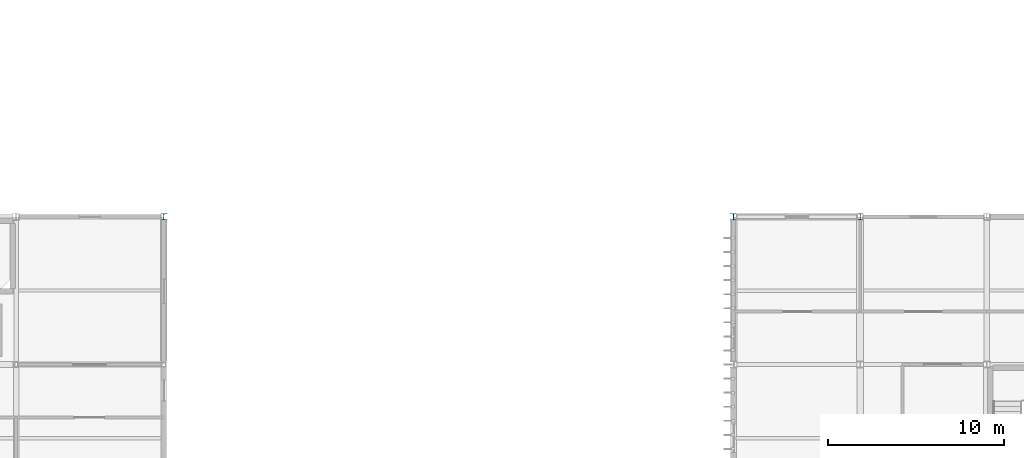
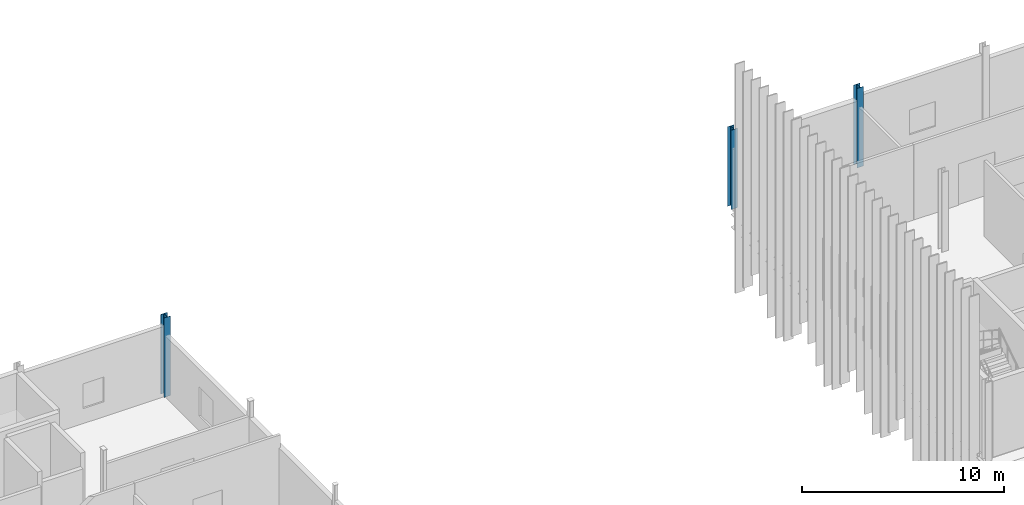
# One storey, part 6 of 45: 3 columns.
"""IFC4 building model written with IfcOpenShell, lengths in metres."""

from ifc_helpers import new_model, si_unit, direction, frame, origin, origin_2d, place, context, subcontext, project, spatial, i_section, extrude, material, material_profile, profile_set, type_object, element, save


model = new_model("IFC4")

# Units and contexts
model_context = context("Model", 3, precision=1e-05, world=origin(), true_north=direction((0.0, 1.0)))
body_context = subcontext(model_context, "Body", "Model", "MODEL_VIEW")
ifc_project = project(units=[si_unit("LENGTHUNIT", "METRE"), si_unit("AREAUNIT", "SQUARE_METRE"), si_unit("VOLUMEUNIT", "CUBIC_METRE"), si_unit("PLANEANGLEUNIT", "RADIAN"), si_unit("MASSUNIT", "GRAM", prefix="KILO")], contexts=[model_context])

# Site, building, storey
site_placement = place(None, origin())
site = spatial("IfcSite", under=ifc_project, at=site_placement, CompositionType="ELEMENT")
building_placement = place(site_placement, origin())
building = spatial("IfcBuilding", under=site, at=building_placement, Name="Calvrana Isthmian Art Gallery", CompositionType="ELEMENT")
storey_placement = place(building_placement, frame((0.0, 0.0, 19.800048828125)))
storey = spatial("IfcBuildingStorey", under=building, at=storey_placement, Name="L04", CompositionType="ELEMENT", Elevation=19.800048828125)

# Columns
ifc_material = material(Name="Steel ASTM A992 Gr 50", Category="steel")
ifc_material_profile_1 = material_profile(ifc_material, i_section(OverallWidth=0.37109375, OverallDepth=0.363037109375, WebThickness=0.01318359375, FlangeThickness=0.021728515625, FilletRadius=0.02490234375, at=origin_2d()), Name="W14X109")
ifc_profile_set_1 = profile_set([ifc_material_profile_1], Name="Steel ASTM A992 Gr 50")
column_type_1 = type_object("IfcColumnType", Name="COL-STL-W14X109", PredefinedType="COLUMN", material=ifc_profile_set_1)
for number, where, z_axis, x_axis, name in (
    (1, (80.39990234375, 46.800048828125, 0.0), (0.0, 0.0, 1.0), (1.0, 0.0, 0.0), "Column 11/G L04"),
    (2, (112.800048828125, 46.800048828125, 0.0), (0.0, 0.0, 1.0), (1.0, 0.0, 0.0), "Column 15/G L04"),
):
    element("IfcColumn", number, at=place(storey_placement, frame(where, z_axis=z_axis, x_axis=x_axis)), inside=storey, type_object=column_type_1, Name=name, PredefinedType="COLUMN", context=body_context, shape_type="SweptSolid", body=[
        extrude(i_section(OverallWidth=0.37109375, OverallDepth=0.363037109375, WebThickness=0.01318359375, FlangeThickness=0.021728515625, FilletRadius=0.02490234375, at=origin_2d()), origin(), (0.0, 0.0, 1.0), 4.800048828125),
    ])
ifc_material_profile_2 = material_profile(ifc_material, i_section(OverallWidth=0.367919921875, OverallDepth=0.35595703125, WebThickness=0.01123046875, FlangeThickness=0.01806640625, FilletRadius=0.02490234375, at=origin_2d()), Name="W14X90")
ifc_profile_set_2 = profile_set([ifc_material_profile_2], Name="Steel ASTM A992 Gr 50")
column_type_2 = type_object("IfcColumnType", Name="COL-STL-W14X90", PredefinedType="COLUMN", material=ifc_profile_set_2)
column_placement = place(storey_placement, frame((120.0, 46.800048828125, 0.0), z_axis=(0.0, 0.0, 1.0), x_axis=(1.0, 0.0, 0.0)))
element("IfcColumn", 3, at=column_placement, inside=storey, type_object=column_type_2, Name="Column 16/G L04", PredefinedType="COLUMN", context=body_context, shape_type="SweptSolid", body=[
    extrude(i_section(OverallWidth=0.367919921875, OverallDepth=0.35595703125, WebThickness=0.01123046875, FlangeThickness=0.01806640625, FilletRadius=0.02490234375, at=origin_2d()), origin(), (0.0, 0.0, 1.0), 4.800048828125),
])

save(model, "model.ifc")
